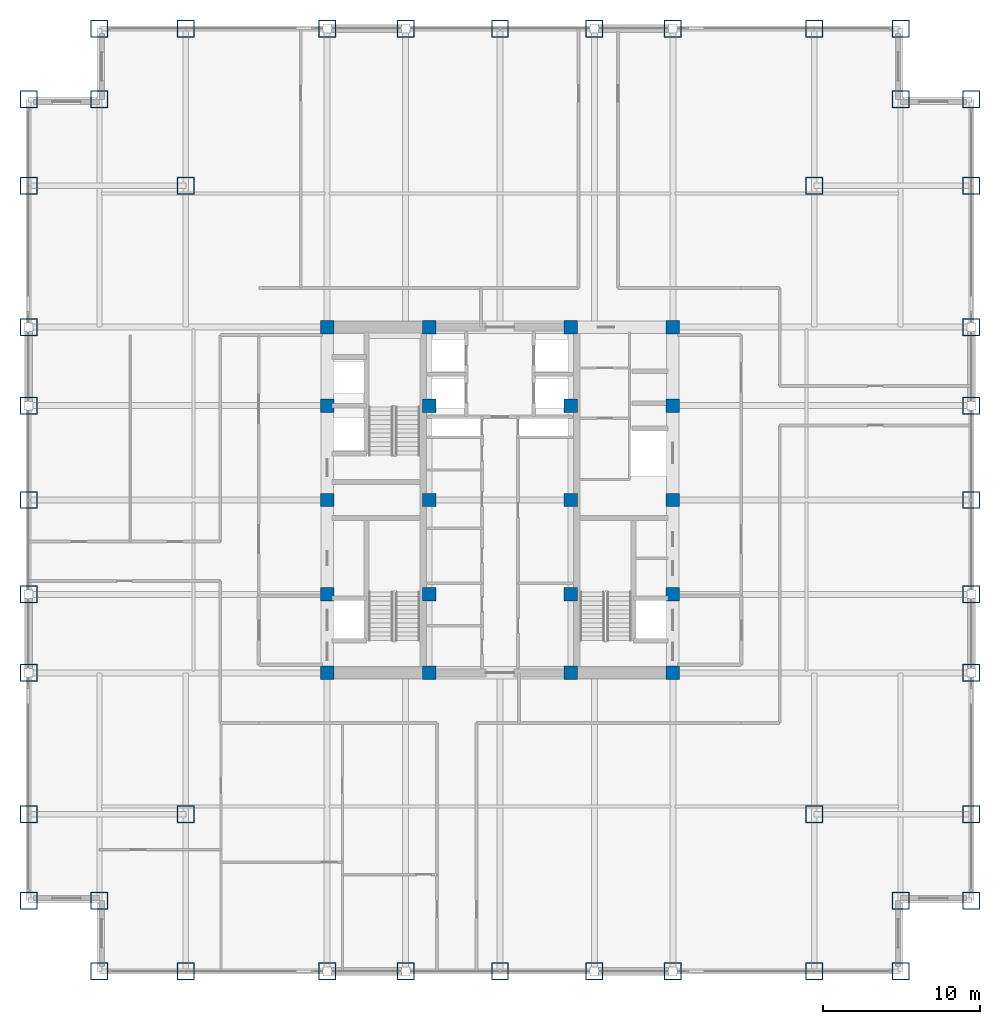
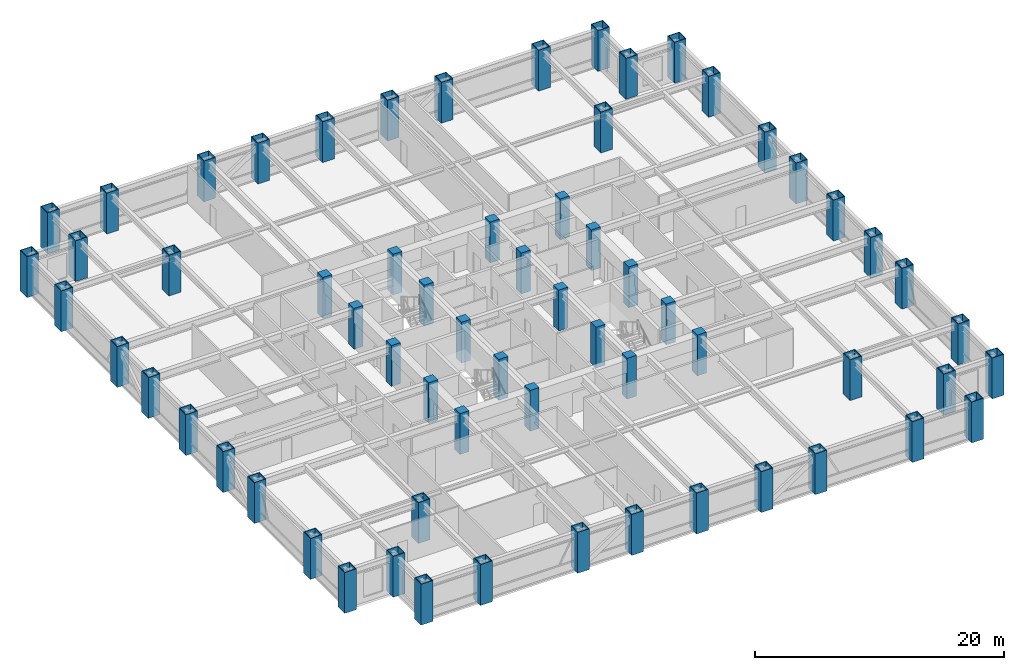
# One storey, part 1 of 24: 64 columns.
"""IFC4 building model written with IfcOpenShell, lengths in metres."""

from ifc_helpers import new_model, si_unit, direction, frame, origin, origin_2d, place, context, subcontext, project, spatial, rectangle, hollow_rectangle, extrude, source, transform, mapped, material, material_profile, profile_set, type_object, element, save


model = new_model("IFC4")

# Units and contexts
model_context = context("Model", 3, precision=1e-05, world=origin(), true_north=direction((0.0, 1.0)))
body_context = subcontext(model_context, "Body", "Model", "MODEL_VIEW")
ifc_project = project(units=[si_unit("LENGTHUNIT", "METRE"), si_unit("AREAUNIT", "SQUARE_METRE"), si_unit("VOLUMEUNIT", "CUBIC_METRE"), si_unit("PLANEANGLEUNIT", "RADIAN"), si_unit("MASSUNIT", "GRAM", prefix="KILO")], contexts=[model_context])

# Site, building, storey
site_placement = place(None, origin())
site = spatial("IfcSite", under=ifc_project, at=site_placement, CompositionType="ELEMENT")
building_placement = place(site_placement, origin())
building = spatial("IfcBuilding", under=site, at=building_placement, Name="Khorayat Bourse Tower", CompositionType="ELEMENT")
storey_placement = place(building_placement, frame((0.0, 0.0, 171.10009765625)))
storey = spatial("IfcBuildingStorey", under=building, at=storey_placement, Name="L39", CompositionType="ELEMENT", Elevation=171.10009765625)

# Columns
ifc_material_1 = material(Name="Steel EN 10025-4 S460M", Category="steel")
ifc_material_profile_1 = material_profile(ifc_material_1, hollow_rectangle(XDim=1.10009765625, YDim=1.10009765625, WallThickness=0.06005859375, at=origin_2d()), Name="BOX 1100x1100x60")
ifc_profile_set_1 = profile_set([ifc_material_profile_1], Name="Steel EN 10025-4 S460M")
column_type_1 = type_object("IfcColumnType", Name="COL-TUBE-1100", PredefinedType="COLUMN", material=ifc_profile_set_1)
shared_shape_1 = source(origin(), body_context, "Body", "SweptSolid", [
    extrude(hollow_rectangle(XDim=1.10009765625, YDim=1.10009765625, WallThickness=0.06005859375, at=origin_2d()), origin(), (0.0, 0.0, 1.0), 4.0),
])
for number, where, z_axis, x_axis, name in (
    (1, (-30.0, -25.5, 0.0), (0.0, 0.0, 1.0), (1.0, 0.0, 0.0), "L39 Column 001"),
    (2, (-30.0, -20.0, 0.0), (0.0, 0.0, 1.0), (1.0, 0.0, 0.0), "L39 Column 002"),
    (3, (-30.0, -11.0, 0.0), (0.0, 0.0, 1.0), (1.0, 0.0, 0.0), "L39 Column 003"),
    (4, (-30.0, -6.0, 0.0), (0.0, 0.0, 1.0), (1.0, 0.0, 0.0), "L39 Column 004"),
    (5, (-30.0, 0.0, 0.0), (0.0, 0.0, 1.0), (1.0, 0.0, 0.0), "L39 Column 005"),
    (6, (-30.0, 6.0, 0.0), (0.0, 0.0, 1.0), (1.0, 0.0, 0.0), "L39 Column 006"),
    (7, (-30.0, 11.0, 0.0), (0.0, 0.0, 1.0), (1.0, 0.0, 0.0), "L39 Column 007"),
    (8, (-30.0, 20.0, 0.0), (0.0, 0.0, 1.0), (1.0, 0.0, 0.0), "L39 Column 008"),
    (9, (-30.0, 25.5, 0.0), (0.0, 0.0, 1.0), (1.0, 0.0, 0.0), "L39 Column 009"),
    (10, (-25.5, -30.0, 0.0), (0.0, 0.0, 1.0), (1.0, 0.0, 0.0), "L39 Column 010"),
    (11, (-25.5, -25.5, 0.0), (0.0, 0.0, 1.0), (1.0, 0.0, 0.0), "L39 Column 011"),
    (12, (-25.5, 25.5, 0.0), (0.0, 0.0, 1.0), (1.0, 0.0, 0.0), "L39 Column 012"),
    (13, (-25.5, 30.0, 0.0), (0.0, 0.0, 1.0), (1.0, 0.0, 0.0), "L39 Column 013"),
    (14, (-20.0, -30.0, 0.0), (0.0, 0.0, 1.0), (1.0, 0.0, 0.0), "L39 Column 014"),
    (15, (-20.0, -20.0, 0.0), (0.0, 0.0, 1.0), (1.0, 0.0, 0.0), "L39 Column 015"),
    (16, (-20.0, 20.0, 0.0), (0.0, 0.0, 1.0), (1.0, 0.0, 0.0), "L39 Column 016"),
    (17, (-20.0, 30.0, 0.0), (0.0, 0.0, 1.0), (1.0, 0.0, 0.0), "L39 Column 017"),
    (18, (-11.0, -30.0, 0.0), (0.0, 0.0, 1.0), (1.0, 0.0, 0.0), "L39 Column 018"),
    (19, (-11.0, 30.0, 0.0), (0.0, 0.0, 1.0), (1.0, 0.0, 0.0), "L39 Column 024"),
    (20, (-6.0, -30.0, 0.0), (0.0, 0.0, 1.0), (1.0, 0.0, 0.0), "L39 Column 025"),
    (21, (-6.0, 30.0, 0.0), (0.0, 0.0, 1.0), (1.0, 0.0, 0.0), "L39 Column 026"),
    (22, (0.0, -30.0, 0.0), (0.0, 0.0, 1.0), (1.0, 0.0, 0.0), "L39 Column 032"),
    (23, (0.0, 30.0, 0.0), (0.0, 0.0, 1.0), (1.0, 0.0, 0.0), "L39 Column 033"),
    (24, (6.0, -30.0, 0.0), (0.0, 0.0, 1.0), (1.0, 0.0, 0.0), "L39 Column 039"),
    (25, (6.0, 30.0, 0.0), (0.0, 0.0, 1.0), (1.0, 0.0, 0.0), "L39 Column 040"),
    (26, (11.0, -30.0, 0.0), (0.0, 0.0, 1.0), (1.0, 0.0, 0.0), "L39 Column 041"),
    (27, (11.0, 30.0, 0.0), (0.0, 0.0, 1.0), (1.0, 0.0, 0.0), "L39 Column 047"),
    (28, (20.0, -30.0, 0.0), (0.0, 0.0, 1.0), (1.0, 0.0, 0.0), "L39 Column 048"),
    (29, (20.0, -20.0, 0.0), (0.0, 0.0, 1.0), (1.0, 0.0, 0.0), "L39 Column 049"),
    (30, (20.0, 20.0, 0.0), (0.0, 0.0, 1.0), (1.0, 0.0, 0.0), "L39 Column 050"),
    (31, (20.0, 30.0, 0.0), (0.0, 0.0, 1.0), (1.0, 0.0, 0.0), "L39 Column 051"),
    (32, (25.5, -30.0, 0.0), (0.0, 0.0, 1.0), (1.0, 0.0, 0.0), "L39 Column 052"),
    (33, (25.5, -25.5, 0.0), (0.0, 0.0, 1.0), (1.0, 0.0, 0.0), "L39 Column 053"),
    (34, (25.5, 25.5, 0.0), (0.0, 0.0, 1.0), (1.0, 0.0, 0.0), "L39 Column 054"),
    (35, (25.5, 30.0, 0.0), (0.0, 0.0, 1.0), (1.0, 0.0, 0.0), "L39 Column 055"),
    (36, (30.0, -25.5, 0.0), (0.0, 0.0, 1.0), (1.0, 0.0, 0.0), "L39 Column 056"),
    (37, (30.0, -20.0, 0.0), (0.0, 0.0, 1.0), (1.0, 0.0, 0.0), "L39 Column 057"),
    (38, (30.0, -11.0, 0.0), (0.0, 0.0, 1.0), (1.0, 0.0, 0.0), "L39 Column 058"),
    (39, (30.0, -6.0, 0.0), (0.0, 0.0, 1.0), (1.0, 0.0, 0.0), "L39 Column 059"),
    (40, (30.0, 0.0, 0.0), (0.0, 0.0, 1.0), (1.0, 0.0, 0.0), "L39 Column 060"),
    (41, (30.0, 6.0, 0.0), (0.0, 0.0, 1.0), (1.0, 0.0, 0.0), "L39 Column 061"),
    (42, (30.0, 11.0, 0.0), (0.0, 0.0, 1.0), (1.0, 0.0, 0.0), "L39 Column 062"),
    (43, (30.0, 20.0, 0.0), (0.0, 0.0, 1.0), (1.0, 0.0, 0.0), "L39 Column 063"),
    (44, (30.0, 25.5, 0.0), (0.0, 0.0, 1.0), (1.0, 0.0, 0.0), "L39 Column 064"),
):
    element("IfcColumn", number, at=place(storey_placement, frame(where, z_axis=z_axis, x_axis=x_axis)), inside=storey, type_object=column_type_1, Name=name, PredefinedType="COLUMN", context=body_context, shape_type="MappedRepresentation", body=[
        mapped(shared_shape_1, transform((0.0, 0.0, 0.0), scale=1.0)),
    ])
ifc_material_2 = material(Name="Concrete C60/75", Category="concrete")
ifc_material_profile_2 = material_profile(ifc_material_2, rectangle(XDim=0.85009765625, YDim=0.85009765625, at=origin_2d()), Name="RC 850x850")
ifc_profile_set_2 = profile_set([ifc_material_profile_2], Name="Concrete C60/75")
column_type_2 = type_object("IfcColumnType", Name="COL-CORE-850", PredefinedType="COLUMN", material=ifc_profile_set_2)
shared_shape_2 = source(origin(), body_context, "Body", "SweptSolid", [
    extrude(rectangle(XDim=0.85009765625, YDim=0.85009765625, at=origin_2d()), origin(), (0.0, 0.0, 1.0), 4.0),
])
for number, where, z_axis, x_axis, name in (
    (45, (-11.0, -11.0, 0.0), (0.0, 0.0, 1.0), (1.0, 0.0, 0.0), "L39 Column 019"),
    (46, (-11.0, -6.0, 0.0), (0.0, 0.0, 1.0), (1.0, 0.0, 0.0), "L39 Column 020"),
    (47, (-11.0, 0.0, 0.0), (0.0, 0.0, 1.0), (1.0, 0.0, 0.0), "L39 Column 021"),
    (48, (-11.0, 6.0, 0.0), (0.0, 0.0, 1.0), (1.0, 0.0, 0.0), "L39 Column 022"),
    (49, (-11.0, 11.0, 0.0), (0.0, 0.0, 1.0), (1.0, 0.0, 0.0), "L39 Column 023"),
    (50, (-4.5, -11.0, 0.0), (0.0, 0.0, 1.0), (1.0, 0.0, 0.0), "L39 Column 027"),
    (51, (-4.5, -6.0, 0.0), (0.0, 0.0, 1.0), (1.0, 0.0, 0.0), "L39 Column 028"),
    (52, (-4.5, 0.0, 0.0), (0.0, 0.0, 1.0), (1.0, 0.0, 0.0), "L39 Column 029"),
    (53, (-4.5, 6.0, 0.0), (0.0, 0.0, 1.0), (1.0, 0.0, 0.0), "L39 Column 030"),
    (54, (-4.5, 11.0, 0.0), (0.0, 0.0, 1.0), (1.0, 0.0, 0.0), "L39 Column 031"),
    (55, (4.5, -11.0, 0.0), (0.0, 0.0, 1.0), (1.0, 0.0, 0.0), "L39 Column 034"),
    (56, (4.5, -6.0, 0.0), (0.0, 0.0, 1.0), (1.0, 0.0, 0.0), "L39 Column 035"),
    (57, (4.5, 0.0, 0.0), (0.0, 0.0, 1.0), (1.0, 0.0, 0.0), "L39 Column 036"),
    (58, (4.5, 6.0, 0.0), (0.0, 0.0, 1.0), (1.0, 0.0, 0.0), "L39 Column 037"),
    (59, (4.5, 11.0, 0.0), (0.0, 0.0, 1.0), (1.0, 0.0, 0.0), "L39 Column 038"),
    (60, (11.0, -11.0, 0.0), (0.0, 0.0, 1.0), (1.0, 0.0, 0.0), "L39 Column 042"),
    (61, (11.0, -6.0, 0.0), (0.0, 0.0, 1.0), (1.0, 0.0, 0.0), "L39 Column 043"),
    (62, (11.0, 0.0, 0.0), (0.0, 0.0, 1.0), (1.0, 0.0, 0.0), "L39 Column 044"),
    (63, (11.0, 6.0, 0.0), (0.0, 0.0, 1.0), (1.0, 0.0, 0.0), "L39 Column 045"),
    (64, (11.0, 11.0, 0.0), (0.0, 0.0, 1.0), (1.0, 0.0, 0.0), "L39 Column 046"),
):
    element("IfcColumn", number, at=place(storey_placement, frame(where, z_axis=z_axis, x_axis=x_axis)), inside=storey, type_object=column_type_2, Name=name, PredefinedType="COLUMN", context=body_context, shape_type="MappedRepresentation", body=[
        mapped(shared_shape_2, transform((0.0, 0.0, 0.0), scale=1.0)),
    ])

save(model, "model.ifc")
